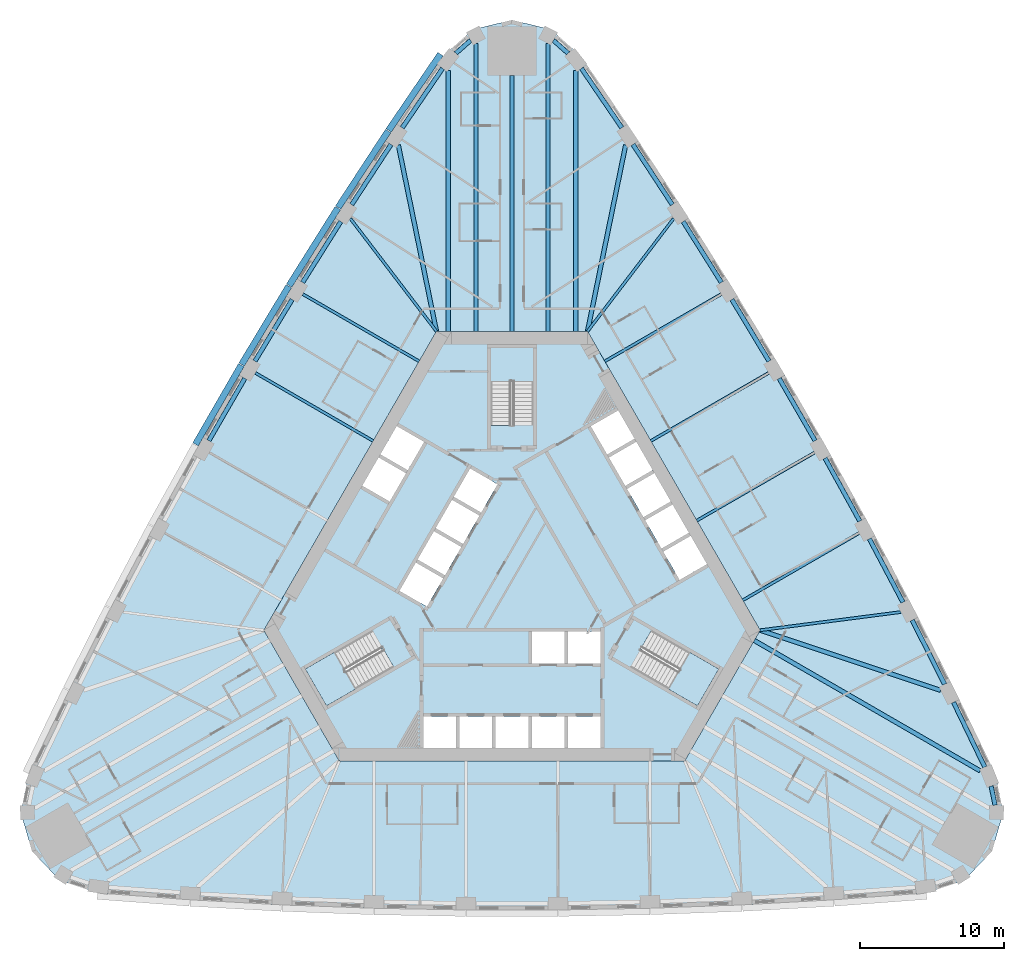
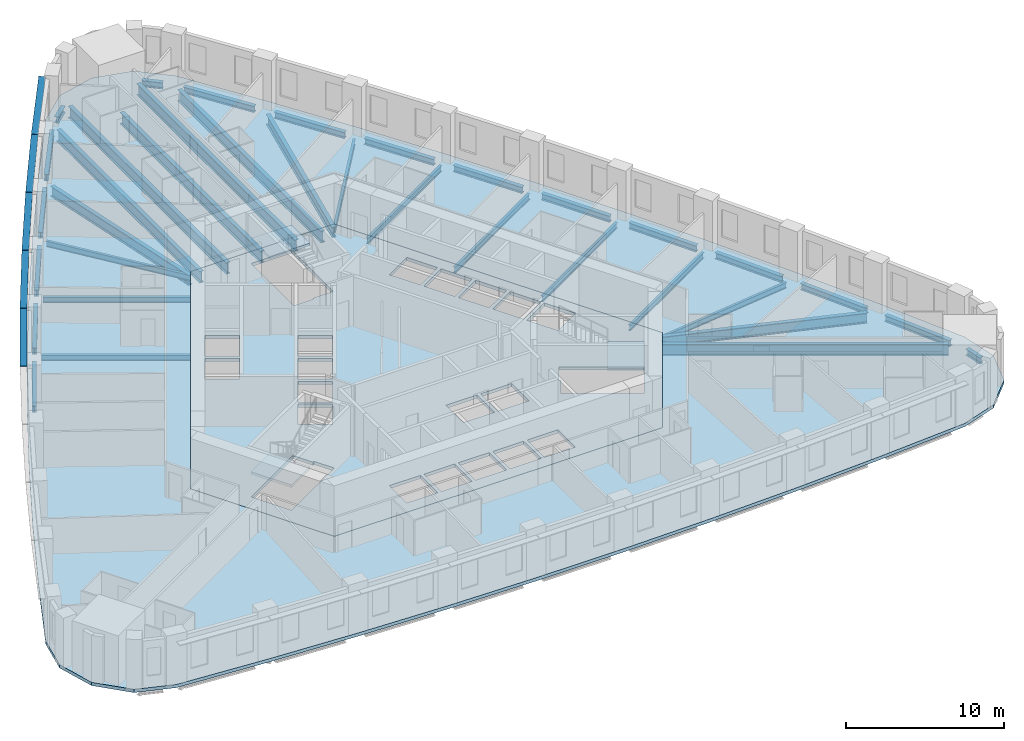
# One storey, part 2 of 12: 35 beams, 5 members, 5 slabs, 3 elements without a shape of their own.
"""IFC4 building model written with IfcOpenShell, lengths in metres."""

from ifc_helpers import new_model, si_unit, direction, frame, origin, origin_2d, place, context, subcontext, project, spatial, polyline, rectangle, i_section, outline, extrude, material, layer, layer_set, material_profile, profile_set, type_object, element, aggregate, save


model = new_model("IFC4")

# Units and contexts
model_context = context("Model", 3, precision=1e-05, world=origin(), true_north=direction((0.0, 1.0)))
body_context = subcontext(model_context, "Body", "Model", "MODEL_VIEW")
ifc_project = project(units=[si_unit("LENGTHUNIT", "METRE"), si_unit("AREAUNIT", "SQUARE_METRE"), si_unit("VOLUMEUNIT", "CUBIC_METRE"), si_unit("PLANEANGLEUNIT", "RADIAN"), si_unit("MASSUNIT", "GRAM", prefix="KILO")], contexts=[model_context])

# Site, building, storey
site_placement = place(None, origin())
site = spatial("IfcSite", under=ifc_project, at=site_placement, CompositionType="ELEMENT")
building_placement = place(site_placement, origin())
building = spatial("IfcBuilding", under=site, at=building_placement, Name="Mestral Congress Tower", CompositionType="ELEMENT")
storey_placement = place(building_placement, frame((0.0, 0.0, 70.5)))
storey = spatial("IfcBuildingStorey", under=building, at=storey_placement, Name="L16", CompositionType="ELEMENT", Elevation=70.5)

# Members
ifc_material_1 = material(Name="Glazed ceramic", Category="masonry")
ifc_material_profile_1 = material_profile(ifc_material_1, rectangle(XDim=0.449951171875, YDim=0.06005859375, at=origin_2d()), Name="Ceramic blade 450 x 60")
ifc_profile_set_1 = profile_set([ifc_material_profile_1], Name="Glazed ceramic")
member_type = type_object("IfcMemberType", Name="Facade sunshade blade 450 x 60", PredefinedType="USERDEFINED", material=ifc_profile_set_1)
member_1_placement = place(storey_placement, frame((-4.973388671875, 36.188232421875, 3.280029296875), z_axis=(-0.562633427576, -0.826706493367, 0.0), x_axis=(0.826706493367, -0.562633427576, 0.0)))
element("IfcMember", 1, at=member_1_placement, inside=storey, type_object=member_type, Name="Sunshade F2-00", ObjectType="SUNSHADE", PredefinedType="USERDEFINED", context=body_context, shape_type="SweptSolid", body=[
    extrude(rectangle(XDim=0.449951171875, YDim=0.06005859375, at=origin_2d()), origin(), (0.0, 0.0, 1.0), 6.4208984375),
])
member_2_placement = place(storey_placement, frame((-8.6103515625, 30.843505859375, 3.280029296875), z_axis=(-0.547211145376, -0.836994601163, 0.0), x_axis=(0.836994601163, -0.547211145376, 0.0)))
element("IfcMember", 2, at=member_2_placement, inside=storey, type_object=member_type, Name="Sunshade F2-01", ObjectType="SUNSHADE", PredefinedType="USERDEFINED", context=body_context, shape_type="SweptSolid", body=[
    extrude(rectangle(XDim=0.449951171875, YDim=0.06005859375, at=origin_2d()), origin(), (0.0, 0.0, 1.0), 6.368408203125),
])
for number, where, z_axis, x_axis, name in (
    (3, (-12.119140625, 25.47607421875, 3.280029296875), (-0.531665815747, -0.846954225662, 0.0), (0.846954225662, -0.531665815747, 0.0), "Sunshade F2-02"),
    (4, (-15.528076171875, 20.044921875, 3.280029296875), (-0.515904518528, -0.856646092481, 0.0), (0.856646092481, -0.515904518528, 0.0), "Sunshade F2-03"),
):
    element("IfcMember", number, at=place(storey_placement, frame(where, z_axis=z_axis, x_axis=x_axis)), inside=storey, type_object=member_type, Name=name, ObjectType="SUNSHADE", PredefinedType="USERDEFINED", context=body_context, shape_type="SweptSolid", body=[
        extrude(rectangle(XDim=0.449951171875, YDim=0.06005859375, at=origin_2d()), origin(), (0.0, 0.0, 1.0), 6.3681640625),
    ])
member_3_placement = place(storey_placement, frame((-18.8359375, 14.5517578125, 3.280029296875), z_axis=(-0.499990149842, -0.866031090701, 0.0), x_axis=(0.866031090701, -0.499990149842, 0.0)))
element("IfcMember", 5, at=member_3_placement, inside=storey, type_object=member_type, Name="Sunshade F2-04", ObjectType="SUNSHADE", PredefinedType="USERDEFINED", context=body_context, shape_type="SweptSolid", body=[
    extrude(rectangle(XDim=0.449951171875, YDim=0.06005859375, at=origin_2d()), origin(), (0.0, 0.0, 1.0), 6.368408203125),
])

# Beams
ifc_material_2 = material(Name="Steel S355", Category="steel")
ifc_material_profile_2 = material_profile(ifc_material_2, i_section(OverallWidth=0.300048828125, OverallDepth=0.800048828125, WebThickness=0.017578125, FlangeThickness=0.032958984375, FilletRadius=0.030029296875, at=origin_2d()), Name="HEB 800")
ifc_profile_set_2 = profile_set([ifc_material_profile_2], Name="Steel S355")
beam_type_1 = type_object("IfcBeamType", Name="Floor beam HEB 800 S355", PredefinedType="BEAM", material=ifc_profile_set_2)
for number, where, z_axis, x_axis, name in (
    (6, (29.8203125, -8.08349609375, -0.64990234375), (-0.948734931285, 0.316072824141, 0.0), (-0.316072824141, -0.948734931285, 0.0), "BM-L16-RB1-E01"),
    (7, (7.90966796875, 29.86669921875, -0.64990234375), (-0.200647311614, -0.979663542418, 0.0), (0.979663542418, -0.200647311614, 0.0), "BM-L16-RB1-E08"),
    (8, (-7.90966796875, 29.86669921875, -0.64990234375), (0.200647311614, -0.979663542418, 0.0), (0.979663542418, 0.200647311614, 0.0), "BM-L16-RB1-W01"),
):
    element("IfcBeam", number, at=place(storey_placement, frame(where, z_axis=z_axis, x_axis=x_axis)), inside=storey, type_object=beam_type_1, Name=name, PredefinedType="BEAM", context=body_context, shape_type="SweptSolid", body=[
        extrude(i_section(OverallWidth=0.300048828125, OverallDepth=0.800048828125, WebThickness=0.017578125, FlangeThickness=0.032958984375, FilletRadius=0.030029296875, at=origin_2d()), origin(), (0.0, 0.0, 1.0), 13.236083984375),
    ])
ifc_material_profile_3 = material_profile(ifc_material_2, i_section(OverallWidth=0.300048828125, OverallDepth=0.89990234375, WebThickness=0.0185546875, FlangeThickness=0.034912109375, FilletRadius=0.030029296875, at=origin_2d()), Name="HEB 900")
ifc_profile_set_3 = profile_set([ifc_material_profile_3], Name="Steel S355")
beam_type_2 = type_object("IfcBeamType", Name="Floor beam HEB 900 S355", PredefinedType="BEAM", material=ifc_profile_set_3)
beam_1_placement = place(storey_placement, frame((32.574462890625, -13.6845703125, -0.699951171875), z_axis=(-0.866029704776, 0.49999255039, 0.0), x_axis=(-0.49999255039, -0.866029704776, 0.0)))
element("IfcBeam", 9, at=beam_1_placement, inside=storey, type_object=beam_type_2, Name="BM-L16-RB1-E00", PredefinedType="BEAM", context=body_context, shape_type="SweptSolid", body=[
    extrude(i_section(OverallWidth=0.300048828125, OverallDepth=0.89990234375, WebThickness=0.0185546875, FlangeThickness=0.034912109375, FilletRadius=0.030029296875, at=origin_2d()), origin(), (0.0, 0.0, 1.0), 18.152587890625),
])
beam_2_placement = place(storey_placement, frame((4.43603515625, 35.052734375, -0.699951171875), z_axis=(0.0, -1.0, 0.0), x_axis=(1.0, 0.0, 0.0)))
element("IfcBeam", 10, at=beam_2_placement, inside=storey, type_object=beam_type_2, Name="BM-L16-RB1-E09", PredefinedType="BEAM", context=body_context, shape_type="SweptSolid", body=[
    extrude(i_section(OverallWidth=0.300048828125, OverallDepth=0.89990234375, WebThickness=0.0185546875, FlangeThickness=0.034912109375, FilletRadius=0.030029296875, at=origin_2d()), origin(), (0.0, 0.0, 1.0), 18.15283203125),
])
beam_3_placement = place(storey_placement, frame((2.503173828125, 36.91943359375, -0.699951171875), z_axis=(0.0, -1.0, 0.0), x_axis=(1.0, 0.0, 0.0)))
element("IfcBeam", 11, at=beam_3_placement, inside=storey, type_object=beam_type_2, Name="BM-L16-RB1-N1", PredefinedType="BEAM", context=body_context, shape_type="SweptSolid", body=[
    extrude(i_section(OverallWidth=0.300048828125, OverallDepth=0.89990234375, WebThickness=0.0185546875, FlangeThickness=0.034912109375, FilletRadius=0.030029296875, at=origin_2d()), origin(), (0.0, 0.0, 1.0), 20.01953125),
])
beam_4_placement = place(storey_placement, frame((0.0, 34.698974609375, -0.699951171875), z_axis=(0.0, -1.0, 0.0), x_axis=(1.0, 0.0, 0.0)))
element("IfcBeam", 12, at=beam_4_placement, inside=storey, type_object=beam_type_2, Name="BM-L16-RB1-N", PredefinedType="BEAM", context=body_context, shape_type="SweptSolid", body=[
    extrude(i_section(OverallWidth=0.300048828125, OverallDepth=0.89990234375, WebThickness=0.0185546875, FlangeThickness=0.034912109375, FilletRadius=0.030029296875, at=origin_2d()), origin(), (0.0, 0.0, 1.0), 17.799072265625),
])
beam_5_placement = place(storey_placement, frame((-2.503173828125, 36.91943359375, -0.699951171875), z_axis=(0.0, -1.0, 0.0), x_axis=(1.0, 0.0, 0.0)))
element("IfcBeam", 13, at=beam_5_placement, inside=storey, type_object=beam_type_2, Name="BM-L16-RB1-N3", PredefinedType="BEAM", context=body_context, shape_type="SweptSolid", body=[
    extrude(i_section(OverallWidth=0.300048828125, OverallDepth=0.89990234375, WebThickness=0.0185546875, FlangeThickness=0.034912109375, FilletRadius=0.030029296875, at=origin_2d()), origin(), (0.0, 0.0, 1.0), 20.01953125),
])
beam_6_placement = place(storey_placement, frame((-4.43603515625, 35.052734375, -0.699951171875), z_axis=(0.0, -1.0, 0.0), x_axis=(1.0, 0.0, 0.0)))
element("IfcBeam", 14, at=beam_6_placement, inside=storey, type_object=beam_type_2, Name="BM-L16-RB1-W00", PredefinedType="BEAM", context=body_context, shape_type="SweptSolid", body=[
    extrude(i_section(OverallWidth=0.300048828125, OverallDepth=0.89990234375, WebThickness=0.0185546875, FlangeThickness=0.034912109375, FilletRadius=0.030029296875, at=origin_2d()), origin(), (0.0, 0.0, 1.0), 18.15283203125),
])
ifc_material_profile_4 = material_profile(ifc_material_2, i_section(OverallWidth=0.18994140625, OverallDepth=0.449951171875, WebThickness=0.009521484375, FlangeThickness=0.0146484375, FilletRadius=0.02099609375, at=origin_2d()), Name="IPE 450")
ifc_profile_set_4 = profile_set([ifc_material_profile_4], Name="Steel S355")
beam_type_3 = type_object("IfcBeamType", Name="Floor beam IPE 450 S355", PredefinedType="BEAM", material=ifc_profile_set_4)
beam_7_placement = place(storey_placement, frame((27.058349609375, -2.6337890625, -0.47509765625), z_axis=(-0.99175011495, -0.128186229747, 0.0), x_axis=(0.128186229747, -0.99175011495, 0.0)))
element("IfcBeam", 15, at=beam_7_placement, inside=storey, type_object=beam_type_3, Name="BM-L16-RB1-E02", PredefinedType="BEAM", context=body_context, shape_type="SweptSolid", body=[
    extrude(i_section(OverallWidth=0.18994140625, OverallDepth=0.449951171875, WebThickness=0.009521484375, FlangeThickness=0.0146484375, FilletRadius=0.02099609375, at=origin_2d()), origin(), (0.0, 0.0, 1.0), 9.877197265625),
])
beam_8_placement = place(storey_placement, frame((24.150634765625, 2.859619140625, -0.47509765625), z_axis=(-0.866032011123, -0.499988555579, 0.0), x_axis=(0.499988555579, -0.866032011123, 0.0)))
element("IfcBeam", 16, at=beam_8_placement, inside=storey, type_object=beam_type_3, Name="BM-L16-RB1-E03", PredefinedType="BEAM", context=body_context, shape_type="SweptSolid", body=[
    extrude(i_section(OverallWidth=0.18994140625, OverallDepth=0.449951171875, WebThickness=0.009521484375, FlangeThickness=0.0146484375, FilletRadius=0.02099609375, at=origin_2d()), origin(), (0.0, 0.0, 1.0), 9.344970703125),
])
for number, where, z_axis, x_axis, name in (
    (17, (21.0537109375, 8.46044921875, -0.47509765625), (-0.866019749231, -0.500009793847, 0.0), (0.500009793847, -0.866019749231, 0.0), "BM-L16-RB1-E04"),
    (18, (17.853759765625, 14.0029296875, -0.47509765625), (-0.866019749231, -0.500009793847, 0.0), (0.500009793847, -0.866019749231, 0.0), "BM-L16-RB1-E05"),
):
    element("IfcBeam", number, at=place(storey_placement, frame(where, z_axis=z_axis, x_axis=x_axis)), inside=storey, type_object=beam_type_3, Name=name, PredefinedType="BEAM", context=body_context, shape_type="SweptSolid", body=[
        extrude(i_section(OverallWidth=0.18994140625, OverallDepth=0.449951171875, WebThickness=0.009521484375, FlangeThickness=0.0146484375, FilletRadius=0.02099609375, at=origin_2d()), origin(), (0.0, 0.0, 1.0), 9.463134765625),
    ])
beam_9_placement = place(storey_placement, frame((14.5517578125, 19.485107421875, -0.47509765625), z_axis=(-0.866025479842, -0.499999868264, 0.0), x_axis=(0.499999868264, -0.866025479842, 0.0)))
element("IfcBeam", 19, at=beam_9_placement, inside=storey, type_object=beam_type_3, Name="BM-L16-RB1-E06", PredefinedType="BEAM", context=body_context, shape_type="SweptSolid", body=[
    extrude(i_section(OverallWidth=0.18994140625, OverallDepth=0.449951171875, WebThickness=0.009521484375, FlangeThickness=0.0146484375, FilletRadius=0.02099609375, at=origin_2d()), origin(), (0.0, 0.0, 1.0), 9.3447265625),
])
for number, where, z_axis, x_axis, name in (
    (20, (11.248291015625, 24.75, -0.47509765625), (-0.606898557801, -0.794779303039, 0.0), (0.794779303039, -0.606898557801, 0.0), "BM-L16-RB1-E07"),
    (21, (-11.248291015625, 24.75, -0.47509765625), (0.606898557801, -0.794779303039, 0.0), (0.794779303039, 0.606898557801, 0.0), "BM-L16-RB1-W02"),
):
    element("IfcBeam", number, at=place(storey_placement, frame(where, z_axis=z_axis, x_axis=x_axis)), inside=storey, type_object=beam_type_3, Name=name, PredefinedType="BEAM", context=body_context, shape_type="SweptSolid", body=[
        extrude(i_section(OverallWidth=0.18994140625, OverallDepth=0.449951171875, WebThickness=0.009521484375, FlangeThickness=0.0146484375, FilletRadius=0.02099609375, at=origin_2d()), origin(), (0.0, 0.0, 1.0), 9.877197265625),
    ])
beam_10_placement = place(storey_placement, frame((-14.5517578125, 19.485107421875, -0.47509765625), z_axis=(0.866025479842, -0.499999868264, 0.0), x_axis=(0.499999868264, 0.866025479842, 0.0)))
element("IfcBeam", 22, at=beam_10_placement, inside=storey, type_object=beam_type_3, Name="BM-L16-RB1-W03", PredefinedType="BEAM", context=body_context, shape_type="SweptSolid", body=[
    extrude(i_section(OverallWidth=0.18994140625, OverallDepth=0.449951171875, WebThickness=0.009521484375, FlangeThickness=0.0146484375, FilletRadius=0.02099609375, at=origin_2d()), origin(), (0.0, 0.0, 1.0), 9.3447265625),
])
beam_11_placement = place(storey_placement, frame((-17.853759765625, 14.0029296875, -0.47509765625), z_axis=(0.866019749231, -0.500009793847, 0.0), x_axis=(0.500009793847, 0.866019749231, 0.0)))
element("IfcBeam", 23, at=beam_11_placement, inside=storey, type_object=beam_type_3, Name="BM-L16-RB1-W04", PredefinedType="BEAM", context=body_context, shape_type="SweptSolid", body=[
    extrude(i_section(OverallWidth=0.18994140625, OverallDepth=0.449951171875, WebThickness=0.009521484375, FlangeThickness=0.0146484375, FilletRadius=0.02099609375, at=origin_2d()), origin(), (0.0, 0.0, 1.0), 9.463134765625),
])
ifc_material_profile_5 = material_profile(ifc_material_2, i_section(OverallWidth=0.300048828125, OverallDepth=0.489990234375, WebThickness=0.011962890625, FlangeThickness=0.02294921875, FilletRadius=0.027099609375, at=origin_2d()), Name="HEA 500")
ifc_profile_set_5 = profile_set([ifc_material_profile_5], Name="Steel S355")
beam_type_4 = type_object("IfcBeamType", Name="Spandrel beam HEA 500 S355", PredefinedType="BEAM", material=ifc_profile_set_5)
beam_12_placement = place(storey_placement, frame((33.611328125, -16.0693359375, -0.4951171875), z_axis=(-0.197991750859, 0.980203686277, 0.0), x_axis=(-0.980203686277, -0.197991750859, 0.0)))
element("IfcBeam", 24, at=beam_12_placement, inside=storey, type_object=beam_type_4, Name="SP-L16-SB1-SE3", PredefinedType="BEAM", context=body_context, shape_type="SweptSolid", body=[
    extrude(i_section(OverallWidth=0.300048828125, OverallDepth=0.489990234375, WebThickness=0.011962890625, FlangeThickness=0.02294921875, FilletRadius=0.027099609375, at=origin_2d()), origin(), (0.0, 0.0, 1.0), 1.3515625),
])
beam_13_placement = place(storey_placement, frame((32.897705078125, -13.415283203125, -0.4951171875), z_axis=(-0.434645244295, 0.900601749727, 0.0), x_axis=(-0.900601749727, -0.434645244295, 0.0)))
element("IfcBeam", 25, at=beam_13_placement, inside=storey, type_object=beam_type_4, Name="SP-L16-SB1-E00", PredefinedType="BEAM", context=body_context, shape_type="SweptSolid", body=[
    extrude(i_section(OverallWidth=0.300048828125, OverallDepth=0.489990234375, WebThickness=0.011962890625, FlangeThickness=0.02294921875, FilletRadius=0.027099609375, at=origin_2d()), origin(), (0.0, 0.0, 1.0), 4.998046875),
])
beam_14_placement = place(storey_placement, frame((30.105224609375, -7.658935546875, -0.4951171875), z_axis=(-0.45123261425, 0.892406369227, 0.0), x_axis=(-0.892406369227, -0.45123261425, 0.0)))
element("IfcBeam", 26, at=beam_14_placement, inside=storey, type_object=beam_type_4, Name="SP-L16-SB1-E01", PredefinedType="BEAM", context=body_context, shape_type="SweptSolid", body=[
    extrude(i_section(OverallWidth=0.300048828125, OverallDepth=0.489990234375, WebThickness=0.011962890625, FlangeThickness=0.02294921875, FilletRadius=0.027099609375, at=origin_2d()), origin(), (0.0, 0.0, 1.0), 4.999755859375),
])
beam_15_placement = place(storey_placement, frame((27.2060546875, -1.95361328125, -0.4951171875), z_axis=(-0.467681307417, 0.883897162962, 0.0), x_axis=(-0.883897162962, -0.467681307417, 0.0)))
element("IfcBeam", 27, at=beam_15_placement, inside=storey, type_object=beam_type_4, Name="SP-L16-SB1-E02", PredefinedType="BEAM", context=body_context, shape_type="SweptSolid", body=[
    extrude(i_section(OverallWidth=0.300048828125, OverallDepth=0.489990234375, WebThickness=0.011962890625, FlangeThickness=0.02294921875, FilletRadius=0.027099609375, at=origin_2d()), origin(), (0.0, 0.0, 1.0), 5.0),
])
for number, where, z_axis, x_axis, name in (
    (28, (24.20166015625, 3.697265625, -0.4951171875), (-0.483900688062, 0.875122919419, 0.0), (-0.875122919419, -0.483900688062, 0.0), "SP-L16-SB1-E03"),
    (29, (21.093505859375, 9.291748046875, -0.4951171875), (-0.50002537861, 0.866010750942, 0.0), (-0.866010750942, -0.50002537861, 0.0), "SP-L16-SB1-E04"),
    (30, (17.88232421875, 14.82763671875, -0.4951171875), (-0.515938385622, 0.85662569553, 0.0), (-0.85662569553, -0.515938385622, 0.0), "SP-L16-SB1-E05"),
    (31, (14.5693359375, 20.302978515625, -0.4951171875), (-0.531661433361, 0.846956976639, 0.0), (-0.846956976639, -0.531661433361, 0.0), "SP-L16-SB1-E06"),
):
    element("IfcBeam", number, at=place(storey_placement, frame(where, z_axis=z_axis, x_axis=x_axis)), inside=storey, type_object=beam_type_4, Name=name, PredefinedType="BEAM", context=body_context, shape_type="SweptSolid", body=[
        extrude(i_section(OverallWidth=0.300048828125, OverallDepth=0.489990234375, WebThickness=0.011962890625, FlangeThickness=0.02294921875, FilletRadius=0.027099609375, at=origin_2d()), origin(), (0.0, 0.0, 1.0), 4.999755859375),
    ])
beam_16_placement = place(storey_placement, frame((11.156005859375, 25.716552734375, -0.4951171875), z_axis=(-0.547263834194, 0.836960151849, 0.0), x_axis=(-0.836960151849, -0.547263834194, 0.0)))
element("IfcBeam", 32, at=beam_16_placement, inside=storey, type_object=beam_type_4, Name="SP-L16-SB1-E07", PredefinedType="BEAM", context=body_context, shape_type="SweptSolid", body=[
    extrude(i_section(OverallWidth=0.300048828125, OverallDepth=0.489990234375, WebThickness=0.011962890625, FlangeThickness=0.02294921875, FilletRadius=0.027099609375, at=origin_2d()), origin(), (0.0, 0.0, 1.0), 5.0),
])
beam_17_placement = place(storey_placement, frame((7.642822265625, 31.06591796875, -0.4951171875), z_axis=(-0.562610596841, 0.826722030868, 0.0), x_axis=(-0.826722030868, -0.562610596841, 0.0)))
element("IfcBeam", 33, at=beam_17_placement, inside=storey, type_object=beam_type_4, Name="SP-L16-SB1-E08", PredefinedType="BEAM", context=body_context, shape_type="SweptSolid", body=[
    extrude(i_section(OverallWidth=0.300048828125, OverallDepth=0.489990234375, WebThickness=0.011962890625, FlangeThickness=0.02294921875, FilletRadius=0.027099609375, at=origin_2d()), origin(), (0.0, 0.0, 1.0), 4.998046875),
])
for number, where, z_axis, x_axis, name in (
    (34, (3.902587890625, 36.248779296875, -0.4951171875), (-0.749806226219, 0.661657481725, 0.0), (-0.661657481725, -0.749806226219, 0.0), "SP-L16-SB1-E09"),
    (35, (-2.88916015625, 37.14306640625, -0.4951171875), (-0.749806226219, -0.661657481725, 0.0), (0.661657481725, -0.749806226219, 0.0), "SP-L16-SB1-N3"),
):
    element("IfcBeam", number, at=place(storey_placement, frame(where, z_axis=z_axis, x_axis=x_axis)), inside=storey, type_object=beam_type_4, Name=name, PredefinedType="BEAM", context=body_context, shape_type="SweptSolid", body=[
        extrude(i_section(OverallWidth=0.300048828125, OverallDepth=0.489990234375, WebThickness=0.011962890625, FlangeThickness=0.02294921875, FilletRadius=0.027099609375, at=origin_2d()), origin(), (0.0, 0.0, 1.0), 1.3515625),
    ])
beam_18_placement = place(storey_placement, frame((-4.830810546875, 35.197998046875, -0.4951171875), z_axis=(-0.562610596841, -0.826722030868, 0.0), x_axis=(0.826722030868, -0.562610596841, 0.0)))
element("IfcBeam", 36, at=beam_18_placement, inside=storey, type_object=beam_type_4, Name="SP-L16-SB1-W00", PredefinedType="BEAM", context=body_context, shape_type="SweptSolid", body=[
    extrude(i_section(OverallWidth=0.300048828125, OverallDepth=0.489990234375, WebThickness=0.011962890625, FlangeThickness=0.02294921875, FilletRadius=0.027099609375, at=origin_2d()), origin(), (0.0, 0.0, 1.0), 4.998046875),
])
beam_19_placement = place(storey_placement, frame((-8.419677734375, 29.9013671875, -0.4951171875), z_axis=(-0.547263834194, -0.836960151849, 0.0), x_axis=(0.836960151849, -0.547263834194, 0.0)))
element("IfcBeam", 37, at=beam_19_placement, inside=storey, type_object=beam_type_4, Name="SP-L16-SB1-W01", PredefinedType="BEAM", context=body_context, shape_type="SweptSolid", body=[
    extrude(i_section(OverallWidth=0.300048828125, OverallDepth=0.489990234375, WebThickness=0.011962890625, FlangeThickness=0.02294921875, FilletRadius=0.027099609375, at=origin_2d()), origin(), (0.0, 0.0, 1.0), 5.0),
])
for number, where, z_axis, x_axis, name in (
    (38, (-11.9111328125, 24.53759765625, -0.4951171875), (-0.531661433361, -0.846956976639, 0.0), (0.846956976639, -0.531661433361, 0.0), "SP-L16-SB1-W02"),
    (39, (-15.302734375, 19.110595703125, -0.4951171875), (-0.515938385622, -0.85662569553, 0.0), (0.85662569553, -0.515938385622, 0.0), "SP-L16-SB1-W03"),
    (40, (-18.593505859375, 13.62158203125, -0.4951171875), (-0.50002537861, -0.866010750942, 0.0), (0.866010750942, -0.50002537861, 0.0), "SP-L16-SB1-W04"),
):
    element("IfcBeam", number, at=place(storey_placement, frame(where, z_axis=z_axis, x_axis=x_axis)), inside=storey, type_object=beam_type_4, Name=name, PredefinedType="BEAM", context=body_context, shape_type="SweptSolid", body=[
        extrude(i_section(OverallWidth=0.300048828125, OverallDepth=0.489990234375, WebThickness=0.011962890625, FlangeThickness=0.02294921875, FilletRadius=0.027099609375, at=origin_2d()), origin(), (0.0, 0.0, 1.0), 4.999755859375),
    ])

# Slabs
ifc_material_3 = material(Name="Concrete C35/45", Category="concrete")
ifc_layer_1 = layer(ifc_material_3, 0.25)
ifc_layer_set_1 = layer_set([ifc_layer_1], Name="Concrete C35/45")
slab_type_1 = type_object("IfcSlabType", Name="Composite floor slab 250", PredefinedType="FLOOR", material=ifc_layer_set_1)
placement_1 = place(storey_placement, frame((0.0, 0.0, -0.25)))
element("IfcSlab", 41, at=placement_1, inside=storey, type_object=slab_type_1, Name="SL-L16", PredefinedType="FLOOR", context=body_context, shape_type="SweptSolid", body=[
    extrude(outline(polyline([(-28.8564453125, -22.17529296875), (-31.45849609375, -21.301025390625), (-33.39599609375, -19.28125), (-34.176513671875, -16.59326171875), (-33.6328125, -13.90283203125), (-30.824462890625, -8.084228515625), (-27.93310546875, -2.365478515625), (-24.936279296875, 3.298828125), (-21.835205078125, 8.90673828125), (-18.631103515625, 14.45654296875), (-15.324951171875, 19.946044921875), (-11.91796875, 25.373291015625), (-8.4111328125, 30.737060546875), (-4.776123046875, 36.078125), (-2.718017578125, 37.894287109375), (0.0, 38.562255859375), (2.718017578125, 37.894287109375), (4.776123046875, 36.078125), (8.4111328125, 30.737060546875), (11.91796875, 25.373291015625), (15.324951171875, 19.946044921875), (18.631103515625, 14.45654296875), (21.835205078125, 8.90673828125), (24.936279296875, 3.298828125), (27.93310546875, -2.365478515625), (30.824462890625, -8.084228515625), (33.6328125, -13.90283203125), (34.176513671875, -16.59326171875), (33.39599609375, -19.28125), (31.45849609375, -21.301025390625), (28.8564453125, -22.17529296875), (22.41357421875, -22.652587890625), (16.01513671875, -23.0078125), (9.611083984375, -23.244873046875), (3.2041015625, -23.36328125), (-3.2041015625, -23.36328125), (-9.611083984375, -23.244873046875), (-16.01513671875, -23.0078125), (-22.41357421875, -22.652587890625), (-28.8564453125, -22.17529296875)]), holes=[polyline([(-5.25390625, 16.89990234375), (-17.2626953125, -3.89990234375), (-12.0087890625, -13.0), (12.0087890625, -13.0), (17.2626953125, -3.89990234375), (5.25390625, 16.89990234375), (-5.25390625, 16.89990234375)])]), origin(), (0.0, 0.0, 1.0), 0.25),
])
ifc_material_4 = material(Name="Concrete C60/75", Category="concrete")
ifc_layer_2 = layer(ifc_material_4, 0.25)
ifc_layer_set_2 = layer_set([ifc_layer_2], Name="Concrete C60/75")
slab_type_2 = type_object("IfcSlabType", Name="Core floor slab RC 250", PredefinedType="FLOOR", material=ifc_layer_set_2)
element("IfcSlab", 42, at=placement_1, inside=storey, type_object=slab_type_2, Name="L16 core floor", PredefinedType="FLOOR", context=body_context, shape_type="SweptSolid", body=[
    extrude(outline(polyline([(12.0087890625, -13.0), (-12.0087890625, -13.0), (-17.2626953125, -3.89990234375), (-5.25390625, 16.89990234375), (5.25390625, 16.89990234375), (17.2626953125, -3.89990234375), (12.0087890625, -13.0)]), holes=[polyline([(-3.905029296875, -9.89990234375), (-6.175048828125, -9.89990234375), (-6.175048828125, -12.10009765625), (-3.905029296875, -12.10009765625), (-3.905029296875, -9.89990234375)]), polyline([(-1.385009765625, -9.89990234375), (-3.655029296875, -9.89990234375), (-3.655029296875, -12.10009765625), (-1.385009765625, -12.10009765625), (-1.385009765625, -9.89990234375)]), polyline([(1.135009765625, -9.89990234375), (-1.135009765625, -9.89990234375), (-1.135009765625, -12.10009765625), (1.135009765625, -12.10009765625), (1.135009765625, -9.89990234375)]), polyline([(-9.0673828125, -5.235107421875), (-9.8046875, -3.95751953125), (-14.37744140625, -6.59765625), (-12.90234375, -9.15234375), (-8.234619140625, -6.45751953125), (-8.971923828125, -5.179931640625), (-9.0673828125, -5.235107421875)]), polyline([(-7.826904296875, -1.156494140625), (-5.921630859375, -2.256591796875), (-4.78662109375, -0.29052734375), (-6.69189453125, 0.809326171875), (-7.826904296875, -1.156494140625)]), polyline([(-4.66162109375, -0.07421875), (-3.526611328125, 1.8916015625), (-5.431884765625, 2.99169921875), (-6.56689453125, 1.02587890625), (-4.66162109375, -0.07421875)]), polyline([(-3.401611328125, 2.1083984375), (-2.2666015625, 4.07421875), (-4.171875, 5.174072265625), (-5.306884765625, 3.208251953125), (-3.401611328125, 2.1083984375)]), polyline([(-2.1416015625, 4.29052734375), (-1.006591796875, 6.256591796875), (-2.911865234375, 7.3564453125), (-4.046875, 5.390625), (-2.1416015625, 4.29052734375)]), polyline([(-10.41650390625, 6.158203125), (-8.51123046875, 5.058349609375), (-7.376220703125, 7.024169921875), (-9.281494140625, 8.1240234375), (-10.41650390625, 6.158203125)]), polyline([(-9.156494140625, 8.340576171875), (-7.251220703125, 7.240478515625), (-6.1162109375, 9.20654296875), (-8.021484375, 10.306396484375), (-9.156494140625, 8.340576171875)]), polyline([(1.47509765625, 10.469970703125), (1.47509765625, 15.75), (-1.47509765625, 15.75), (-1.47509765625, 10.360107421875), (0.0, 10.360107421875), (0.0, 10.469970703125), (1.47509765625, 10.469970703125)]), polyline([(3.655029296875, -9.89990234375), (1.385009765625, -9.89990234375), (1.385009765625, -12.10009765625), (3.655029296875, -12.10009765625), (3.655029296875, -9.89990234375)]), polyline([(6.175048828125, -9.89990234375), (3.905029296875, -9.89990234375), (3.905029296875, -12.10009765625), (6.175048828125, -12.10009765625), (6.175048828125, -9.89990234375)]), polyline([(9.0673828125, -5.235107421875), (8.329833984375, -6.512451171875), (12.90234375, -9.15234375), (14.37744140625, -6.59765625), (9.70947265625, -3.902587890625), (8.971923828125, -5.179931640625), (9.0673828125, -5.235107421875)]), polyline([(3.655029296875, -6.199951171875), (3.655029296875, -4.0), (1.385009765625, -4.0), (1.385009765625, -6.199951171875), (3.655029296875, -6.199951171875)]), polyline([(6.175048828125, -4.0), (3.905029296875, -4.0), (3.905029296875, -6.199951171875), (6.175048828125, -6.199951171875), (6.175048828125, -4.0)]), polyline([(12.431396484375, 2.668212890625), (10.526123046875, 1.568115234375), (11.6611328125, -0.397705078125), (13.56640625, 0.702392578125), (12.431396484375, 2.668212890625)]), polyline([(11.17138671875, 4.8505859375), (9.26611328125, 3.75048828125), (10.401123046875, 1.78466796875), (12.306396484375, 2.884765625), (11.17138671875, 4.8505859375)]), polyline([(8.006103515625, 5.932861328125), (9.14111328125, 3.967041015625), (11.04638671875, 5.067138671875), (9.911376953125, 7.032958984375), (8.006103515625, 5.932861328125)]), polyline([(8.6513671875, 9.21533203125), (6.74609375, 8.115234375), (7.881103515625, 6.1494140625), (9.786376953125, 7.24951171875), (8.6513671875, 9.21533203125)]), polyline([(7.391357421875, 11.397705078125), (5.486083984375, 10.297607421875), (6.62109375, 8.331787109375), (8.5263671875, 9.431884765625), (7.391357421875, 11.397705078125)])]), origin(), (0.0, 0.0, 1.0), 0.25),
])

# Stair, slab
stair_type = type_object("IfcStairType", Name="Exit stair 1400", PredefinedType="HALF_TURN_STAIR", material=ifc_material_4)
placement_2 = place(storey_placement, origin())
stair_1 = element("IfcStair", 43, at=placement_2, inside=storey, type_object=stair_type, Name="L16 ST1", PredefinedType="HALF_TURN_STAIR")
ifc_layer_3 = layer(ifc_material_4, 0.199951171875)
ifc_layer_set_3 = layer_set([ifc_layer_3], Name="Concrete C60/75")
slab_type_3 = type_object("IfcSlabType", Name="Exit stair landing 200", PredefinedType="LANDING", material=ifc_layer_set_3)
placement_3 = place(storey_placement, frame((0.0, 0.0, 1.75)))
slab_3 = element("IfcSlab", 44, at=placement_3, type_object=slab_type_3, Name="ST1 landing 1", PredefinedType="LANDING", context=body_context, shape_type="SweptSolid", body=[
    extrude(outline(polyline([(10.879638671875, -7.99609375), (12.364501953125, -5.424072265625), (14.39111328125, -6.593994140625), (12.906005859375, -9.166015625), (10.879638671875, -7.99609375)])), origin(), (0.0, 0.0, 1.0), 0.199951171875),
])
aggregate(stair_1, [slab_3])

stair_2 = element("IfcStair", 45, at=placement_2, inside=storey, type_object=stair_type, Name="L16 ST2", PredefinedType="HALF_TURN_STAIR")
slab_4 = element("IfcSlab", 46, at=placement_3, type_object=slab_type_3, Name="ST2 landing 1", PredefinedType="LANDING", context=body_context, shape_type="SweptSolid", body=[
    extrude(outline(polyline([(1.485107421875, 13.419921875), (-1.485107421875, 13.419921875), (-1.485107421875, 15.760009765625), (1.485107421875, 15.760009765625), (1.485107421875, 13.419921875)])), origin(), (0.0, 0.0, 1.0), 0.199951171875),
])
aggregate(stair_2, [slab_4])

stair_3 = element("IfcStair", 47, at=placement_2, inside=storey, type_object=stair_type, Name="L16 ST3", PredefinedType="HALF_TURN_STAIR")
slab_5 = element("IfcSlab", 48, at=placement_3, type_object=slab_type_3, Name="ST3 landing 1", PredefinedType="LANDING", context=body_context, shape_type="SweptSolid", body=[
    extrude(outline(polyline([(-12.364501953125, -5.424072265625), (-10.879638671875, -7.99609375), (-12.906005859375, -9.166015625), (-14.39111328125, -6.593994140625), (-12.364501953125, -5.424072265625)])), origin(), (0.0, 0.0, 1.0), 0.199951171875),
])
aggregate(stair_3, [slab_5])

save(model, "model.ifc")
